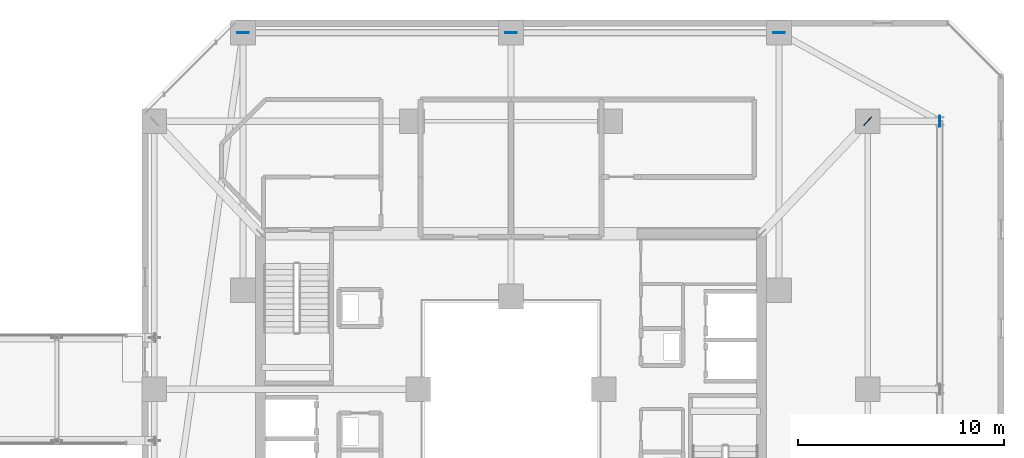
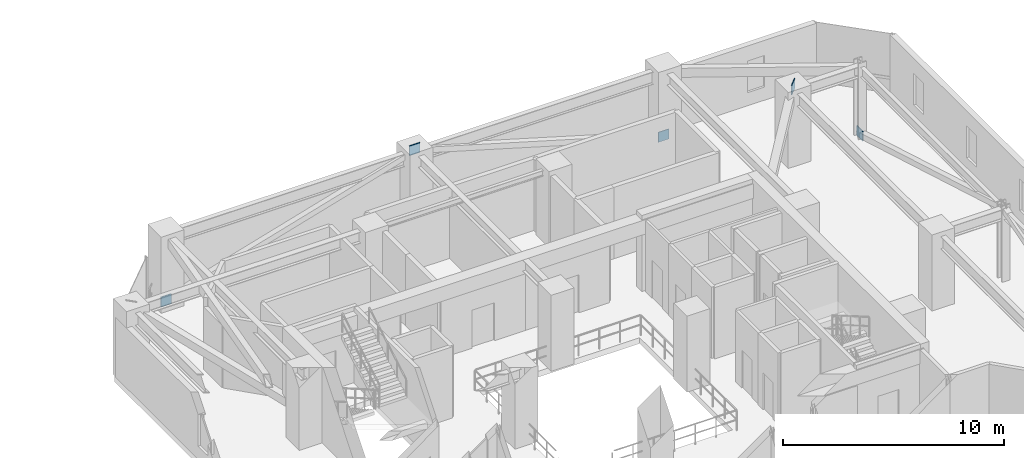
# One storey, part 34 of 45: 5 plates.
"""IFC4 building model written with IfcOpenShell, lengths in metres."""

from ifc_helpers import new_model, si_unit, direction, frame, origin, origin_2d, place, context, subcontext, project, spatial, rectangle, extrude, material, layer, layer_set, type_object, element, save


model = new_model("IFC4")

# Units and contexts
model_context = context("Model", 3, precision=1e-05, world=origin(), true_north=direction((0.0, 1.0)))
body_context = subcontext(model_context, "Body", "Model", "MODEL_VIEW")
ifc_project = project(units=[si_unit("LENGTHUNIT", "METRE"), si_unit("AREAUNIT", "SQUARE_METRE"), si_unit("VOLUMEUNIT", "CUBIC_METRE"), si_unit("PLANEANGLEUNIT", "RADIAN"), si_unit("MASSUNIT", "GRAM", prefix="KILO")], contexts=[model_context])

# Site, building, storey
site_placement = place(None, origin())
site = spatial("IfcSite", under=ifc_project, at=site_placement, CompositionType="ELEMENT")
building_placement = place(site_placement, origin())
building = spatial("IfcBuilding", under=site, at=building_placement, Name="Thornwick Lancets Civic Towers", CompositionType="ELEMENT")
storey_placement = place(building_placement, frame((0.0, 0.0, 141.300048828125)))
storey = spatial("IfcBuildingStorey", under=building, at=storey_placement, Name="L37", CompositionType="ELEMENT", Elevation=141.300048828125)

# Plates
ifc_material = material(Name="Steel S460M", Category="steel")
ifc_layer = layer(ifc_material, 0.0400390625, Name="Steel S460M")
ifc_layer_set = layer_set([ifc_layer], Name="Steel S460M")
plate_type = type_object("IfcPlateType", Name="PLT_GUSSET_40", PredefinedType="USERDEFINED", material=ifc_layer_set)
for number, where, z_axis, x_axis, name in (
    (1, (109.300048828125, 40.0, -0.125), (0.0, 0.0, 1.0), (0.0, -1.0, 0.0), "L37 Brace Connection Gusset Plate 0226"),
    (2, (101.5, 44.300048828125, -0.125), (0.0, 0.0, 1.0), (-1.0, 0.0, 0.0), "L37 Brace Connection Gusset Plate 0227"),
    (3, (88.5, 44.300048828125, 3.68505859375), (0.0, 0.0, 1.0), (-1.0, 0.0, 0.0), "L37 Brace Connection Gusset Plate 0228"),
    (4, (75.5, 44.300048828125, -0.125), (0.0, 0.0, 1.0), (1.0, 0.0, 0.0), "L37 Brace Connection Gusset Plate 0229"),
    (5, (105.800048828125, 40.0, 3.68505859375), (0.0, 0.0, 1.0), (0.686833846544, 0.726814465487, 0.0), "L37 Brace Connection Gusset Plate 0236"),
):
    element("IfcPlate", number, at=place(storey_placement, frame(where, z_axis=z_axis, x_axis=x_axis)), inside=storey, type_object=plate_type, Name=name, ObjectType="GUSSET_PLATE", PredefinedType="USERDEFINED", context=body_context, shape_type="SweptSolid", body=[
        extrude(rectangle(XDim=0.550048828125, YDim=0.0400390625, at=origin_2d()), origin(), (0.0, 0.0, 1.0), 0.550048828125),
    ])

save(model, "model.ifc")
